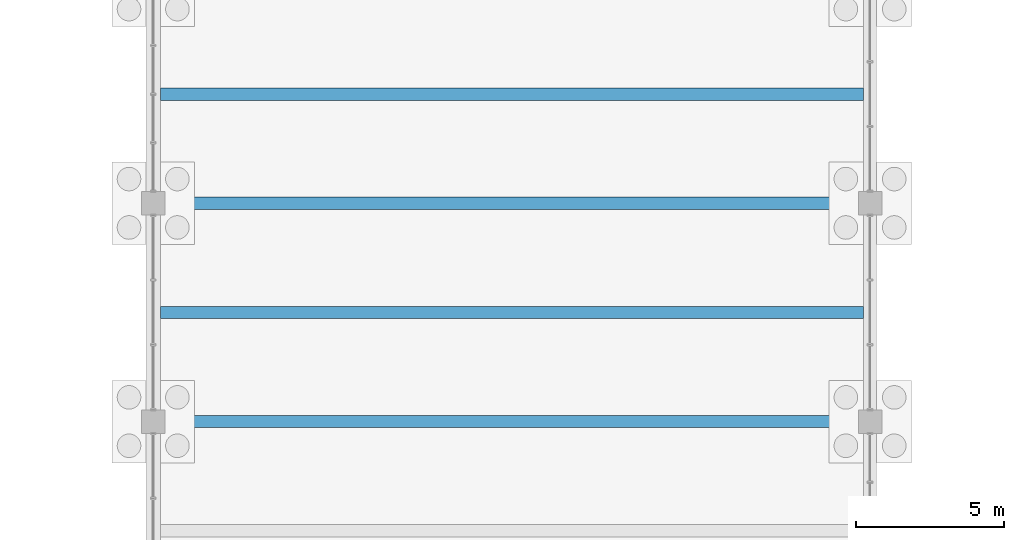
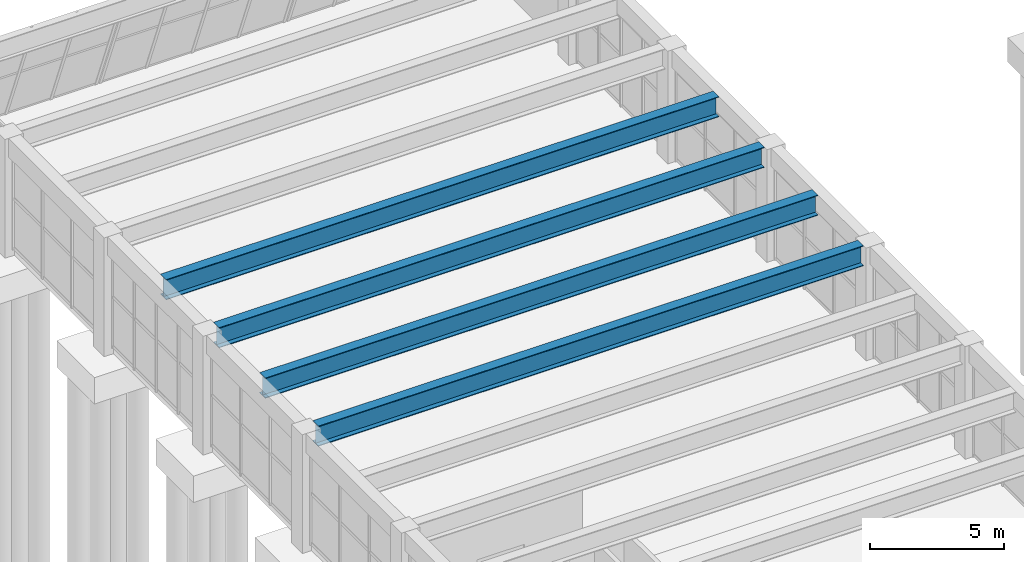
# One storey, part 75 of 140: 4 beams.
"""IFC4 building model written with IfcOpenShell, lengths in metres."""

from ifc_helpers import new_model, si_unit, direction, frame, origin, origin_2d, place, context, subcontext, project, spatial, i_section, extrude, material, material_profile, profile_set, type_object, element, save


model = new_model("IFC4")

# Units and contexts
model_context = context("Model", 3, precision=1e-05, world=origin(), true_north=direction((0.0, 1.0)))
body_context = subcontext(model_context, "Body", "Model", "MODEL_VIEW")
ifc_project = project(units=[si_unit("LENGTHUNIT", "METRE"), si_unit("AREAUNIT", "SQUARE_METRE"), si_unit("VOLUMEUNIT", "CUBIC_METRE"), si_unit("PLANEANGLEUNIT", "RADIAN"), si_unit("MASSUNIT", "GRAM", prefix="KILO")], contexts=[model_context])

# Site, building, storey
site_placement = place(None, origin())
site = spatial("IfcSite", under=ifc_project, at=site_placement, CompositionType="ELEMENT")
building_placement = place(site_placement, origin())
building = spatial("IfcBuilding", under=site, at=building_placement, Name="Cimatlan Art Gallery", CompositionType="ELEMENT")
storey_placement = place(building_placement, origin())
storey = spatial("IfcBuildingStorey", under=building, at=storey_placement, Name="L00", CompositionType="ELEMENT", Elevation=0.0)

# Beams
ifc_material = material(Name="Steel ASTM A992 Grade 50", Category="steel")
ifc_material_profile = material_profile(ifc_material, i_section(OverallWidth=0.41796875, OverallDepth=0.927001953125, WebThickness=0.019287109375, FlangeThickness=0.031982421875, at=origin_2d()), Name="W36X231")
ifc_profile_set = profile_set([ifc_material_profile], Name="Steel ASTM A992 Grade 50")
beam_type = type_object("IfcBeamType", Name="BM-SPAN24-L01", PredefinedType="BEAM", material=ifc_profile_set)
beam_1_placement = place(storey_placement, frame((75.300048828125, 83.10009765625, 4.67138671875), z_axis=(1.0, 0.0, 0.0), x_axis=(0.0, 1.0, 0.0)))
element("IfcBeam", 1, at=beam_1_placement, inside=storey, type_object=beam_type, Name="BM-SP24-L00-11", PredefinedType="BEAM", context=body_context, shape_type="SweptSolid", body=[
    extrude(i_section(OverallWidth=0.41796875, OverallDepth=0.927001953125, WebThickness=0.019287109375, FlangeThickness=0.031982421875, at=origin_2d()), origin(), (0.0, 0.0, 1.0), 23.5),
])
beam_2_placement = place(storey_placement, frame((75.14990234375, 86.800048828125, 4.67138671875), z_axis=(1.0, 0.0, 0.0), x_axis=(0.0, 1.0, 0.0)))
element("IfcBeam", 2, at=beam_2_placement, inside=storey, type_object=beam_type, Name="BM-SP24M-L00-11", PredefinedType="BEAM", context=body_context, shape_type="SweptSolid", body=[
    extrude(i_section(OverallWidth=0.41796875, OverallDepth=0.927001953125, WebThickness=0.019287109375, FlangeThickness=0.031982421875, at=origin_2d()), origin(), (0.0, 0.0, 1.0), 23.8251953125),
])
beam_3_placement = place(storey_placement, frame((75.300048828125, 90.5, 4.67138671875), z_axis=(1.0, 0.0, 0.0), x_axis=(0.0, 1.0, 0.0)))
element("IfcBeam", 3, at=beam_3_placement, inside=storey, type_object=beam_type, Name="BM-SP24-L00-12", PredefinedType="BEAM", context=body_context, shape_type="SweptSolid", body=[
    extrude(i_section(OverallWidth=0.41796875, OverallDepth=0.927001953125, WebThickness=0.019287109375, FlangeThickness=0.031982421875, at=origin_2d()), origin(), (0.0, 0.0, 1.0), 23.5),
])
beam_4_placement = place(storey_placement, frame((75.14990234375, 94.199951171875, 4.67138671875), z_axis=(1.0, 0.0, 0.0), x_axis=(0.0, 1.0, 0.0)))
element("IfcBeam", 4, at=beam_4_placement, inside=storey, type_object=beam_type, Name="BM-SP24M-L00-12", PredefinedType="BEAM", context=body_context, shape_type="SweptSolid", body=[
    extrude(i_section(OverallWidth=0.41796875, OverallDepth=0.927001953125, WebThickness=0.019287109375, FlangeThickness=0.031982421875, at=origin_2d()), origin(), (0.0, 0.0, 1.0), 23.8251953125),
])

save(model, "model.ifc")
